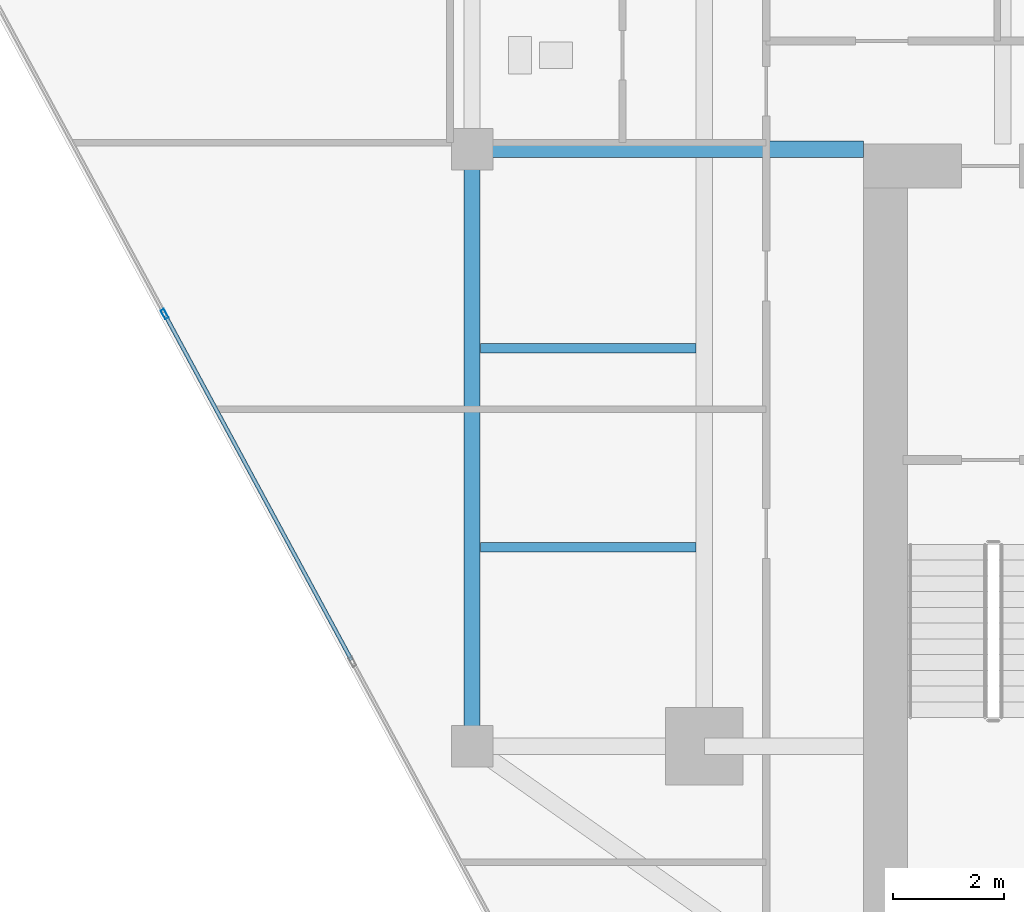
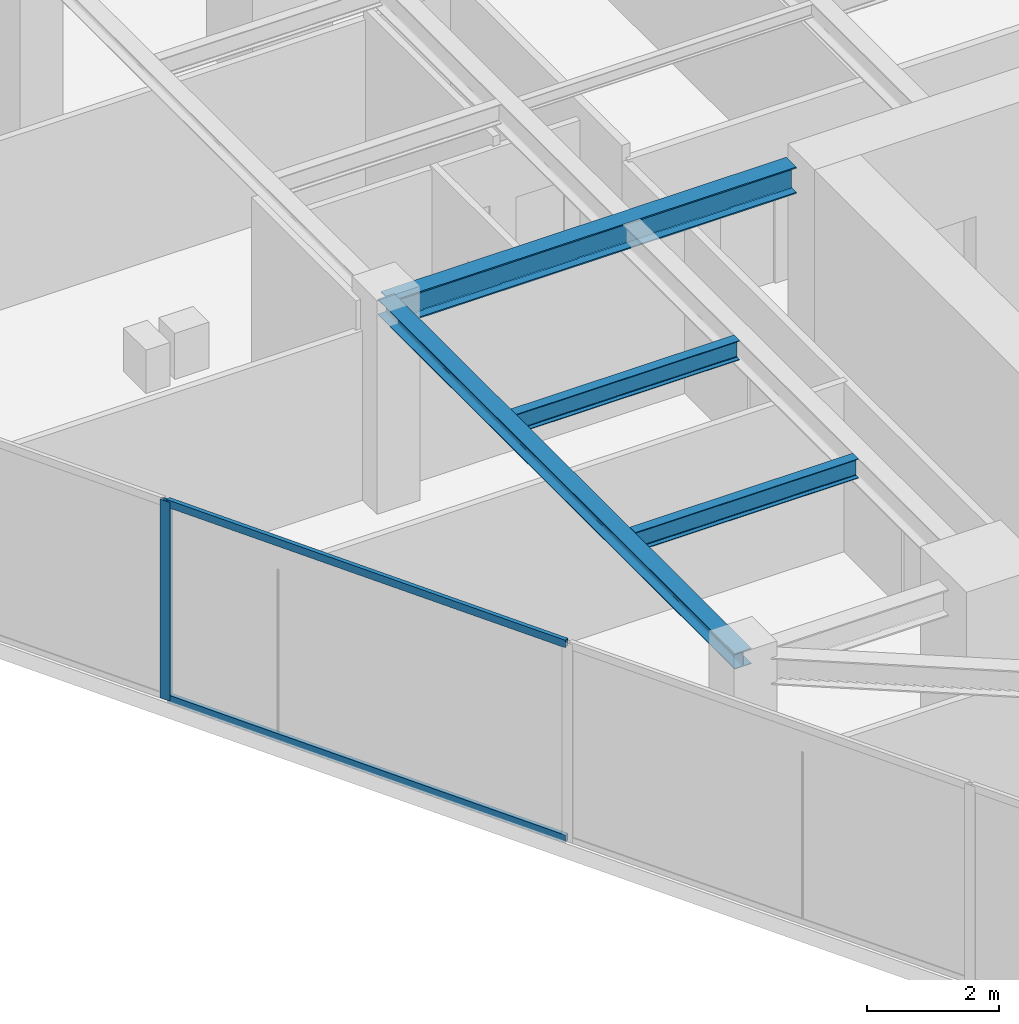
# One storey, part 4 of 22: 4 beams, 3 members, 1 element without a shape of its own.
"""IFC4 building model written with IfcOpenShell, lengths in metres."""

from ifc_helpers import new_model, si_unit, direction, frame, origin, origin_2d, place, context, subcontext, project, spatial, hollow_rectangle, i_section, extrude, source, transform, mapped, material, material_profile, profile_set, type_object, type_shapes, element, aggregate, save


model = new_model("IFC4")

# Units and contexts
model_context = context("Model", 3, precision=1e-05, world=origin(), true_north=direction((0.0, 1.0)))
body_context = subcontext(model_context, "Body", "Model", "MODEL_VIEW")
ifc_project = project(units=[si_unit("LENGTHUNIT", "METRE"), si_unit("AREAUNIT", "SQUARE_METRE"), si_unit("VOLUMEUNIT", "CUBIC_METRE"), si_unit("PLANEANGLEUNIT", "RADIAN"), si_unit("MASSUNIT", "GRAM", prefix="KILO")], contexts=[model_context])

# Site, building, storey
site_placement = place(None, origin())
site = spatial("IfcSite", under=ifc_project, at=site_placement, CompositionType="ELEMENT")
building_placement = place(site_placement, origin())
building = spatial("IfcBuilding", under=site, at=building_placement, Name="Krantzveldt Concourse Tower", CompositionType="ELEMENT")
storey_placement = place(building_placement, frame((0.0, 0.0, 302.949951171875)))
storey = spatial("IfcBuildingStorey", under=building, at=storey_placement, Name="L74", CompositionType="ELEMENT", Elevation=302.949951171875)

# Beams
ifc_material_1 = material(Name="Steel S355JR", Category="steel")
ifc_material_profile_1 = material_profile(ifc_material_1, i_section(OverallWidth=0.300048828125, OverallDepth=0.489990234375, WebThickness=0.011962890625, FlangeThickness=0.02294921875, FilletRadius=0.027099609375, at=origin_2d()), Name="Steel S355JR", Category="steel")
ifc_profile_set_1 = profile_set([ifc_material_profile_1], Name="Steel S355JR - HEA 500")
beam_type_1 = type_object("IfcBeamType", Name="BM-B-HEA500", PredefinedType="BEAM", material=ifc_profile_set_1)
shared_shape_1 = source(origin(), body_context, "Body", "SweptSolid", [
    extrude(i_section(OverallWidth=0.300048828125, OverallDepth=0.489990234375, WebThickness=0.011962890625, FlangeThickness=0.02294921875, FilletRadius=0.027099609375, at=origin_2d()), origin(), (0.0, 0.0, 1.0), 7.080078125),
])
type_shapes(beam_type_1, [shared_shape_1])
beam_1_placement = place(storey_placement, frame((21.0, 26.699951171875, 3.425048828125), z_axis=(1.0, 0.0, 0.0), x_axis=(0.0, 1.0, 0.0)))
element("IfcBeam", 1, at=beam_1_placement, inside=storey, type_object=beam_type_1, Name="L74 Tower Girder BG-CW2", PredefinedType="BEAM", context=body_context, shape_type="MappedRepresentation", body=[
    mapped(shared_shape_1, transform((0.0, 0.0, 0.0), x_axis=(1.0, 0.0, 0.0), y_axis=(0.0, 1.0, 0.0), z_axis=(0.0, 0.0, 1.0), scale=1.0)),
])
ifc_material_profile_2 = material_profile(ifc_material_1, i_section(OverallWidth=0.2900390625, OverallDepth=0.2900390625, WebThickness=0.008544921875, FlangeThickness=0.013916015625, FilletRadius=0.027099609375, at=origin_2d()), Name="Steel S355JR", Category="steel")
ifc_profile_set_2 = profile_set([ifc_material_profile_2], Name="Steel S355JR - HEA 300")
beam_type_2 = type_object("IfcBeamType", Name="BM-SP-HEA300", PredefinedType="SPANDREL", material=ifc_profile_set_2)
shared_shape_2 = source(origin(), body_context, "Body", "SweptSolid", [
    extrude(i_section(OverallWidth=0.2900390625, OverallDepth=0.2900390625, WebThickness=0.008544921875, FlangeThickness=0.013916015625, FilletRadius=0.027099609375, at=origin_2d()), origin(), (0.0, 0.0, 1.0), 10.800048828125),
])
type_shapes(beam_type_2, [shared_shape_2])
beam_2_placement = place(storey_placement, frame((21.0, 15.89990234375, 3.525146484375), z_axis=(0.0, 1.0, 0.0), x_axis=(-1.0, 0.0, 0.0)))
element("IfcBeam", 2, at=beam_2_placement, inside=storey, type_object=beam_type_2, Name="L74 Tower Girder SP-R01", PredefinedType="SPANDREL", context=body_context, shape_type="MappedRepresentation", body=[
    mapped(shared_shape_2, transform((0.0, 0.0, 0.0), x_axis=(1.0, 0.0, 0.0), y_axis=(0.0, 1.0, 0.0), z_axis=(0.0, 0.0, 1.0), scale=1.0)),
])
ifc_material_profile_3 = material_profile(ifc_material_1, i_section(OverallWidth=0.169921875, OverallDepth=0.360107421875, WebThickness=0.008056640625, FlangeThickness=0.0126953125, FilletRadius=0.01806640625, at=origin_2d()), Name="Steel S355JR", Category="steel")
ifc_profile_set_3 = profile_set([ifc_material_profile_3], Name="Steel S355JR - IPE 360")
beam_type_3 = type_object("IfcBeamType", Name="BM-J-IPE360", PredefinedType="JOIST", material=ifc_profile_set_3)
shared_shape_3 = source(origin(), body_context, "Body", "SweptSolid", [
    extrude(i_section(OverallWidth=0.169921875, OverallDepth=0.360107421875, WebThickness=0.008056640625, FlangeThickness=0.0126953125, FilletRadius=0.01806640625, at=origin_2d()), origin(), (0.0, 0.0, 1.0), 3.900146484375),
])
type_shapes(beam_type_3, [shared_shape_3])
for number, where, z_axis, x_axis, name in (
    (3, (21.14990234375, 19.5, 3.489990234375), (1.0, 0.0, 0.0), (0.0, 1.0, 0.0), "L74 Secondary Floor Joist JW-1"),
    (4, (21.14990234375, 23.10009765625, 3.489990234375), (1.0, 0.0, 0.0), (0.0, 1.0, 0.0), "L74 Secondary Floor Joist JW-2"),
):
    element("IfcBeam", number, at=place(storey_placement, frame(where, z_axis=z_axis, x_axis=x_axis)), inside=storey, type_object=beam_type_3, Name=name, PredefinedType="JOIST", context=body_context, shape_type="MappedRepresentation", body=[
        mapped(shared_shape_3, transform((0.0, 0.0, 0.0), x_axis=(1.0, 0.0, 0.0), y_axis=(0.0, 1.0, 0.0), z_axis=(0.0, 0.0, 1.0), scale=1.0)),
    ])

# Curtain wall, members
ifc_material_2 = material(Name="Anodised aluminium 6063-T6", Category="aluminium")
curtain_wall_type = type_object("IfcCurtainWallType", Name="CW4", PredefinedType="USERDEFINED", material=ifc_material_2)
curtain_wall_placement = place(storey_placement, origin())
curtain_wall = element("IfcCurtainWall", 5, at=curtain_wall_placement, inside=storey, type_object=curtain_wall_type, Name="CW-L74-F04", ObjectType="UNITISED CURTAIN WALL", PredefinedType="USERDEFINED")
ifc_material_profile_4 = material_profile(ifc_material_2, hollow_rectangle(XDim=0.070068359375, YDim=0.179931640625, WallThickness=0.0048828125, at=origin_2d()), Name="Anodised aluminium 6063-T6", Category="aluminium")
ifc_profile_set_4 = profile_set([ifc_material_profile_4], Name="Anodised aluminium 6063-T6 - ALU-MULL 180x70x5")
member_type_1 = type_object("IfcMemberType", Name="CW-MUL-180", PredefinedType="MULLION", material=ifc_profile_set_4)
shared_shape_4 = source(origin(), body_context, "Body", "SweptSolid", [
    extrude(hollow_rectangle(XDim=0.070068359375, YDim=0.179931640625, WallThickness=0.0048828125, at=origin_2d()), origin(), (0.0, 0.0, 1.0), 3.670166015625),
])
type_shapes(member_type_1, [shared_shape_4])
member_1_placement = place(storey_placement, frame((15.43603515625, 23.718994140625, 0.0), z_axis=(0.0, 0.0, 1.0), x_axis=(0.87985605875, 0.475240271736, 0.0)))
member_1 = element("IfcMember", 6, at=member_1_placement, type_object=member_type_1, Name="CW-Z56 mullion 2", PredefinedType="MULLION", context=body_context, shape_type="MappedRepresentation", body=[
    mapped(shared_shape_4, transform((0.0, 0.0, 0.0), x_axis=(1.0, 0.0, 0.0), y_axis=(0.0, 1.0, 0.0), z_axis=(0.0, 0.0, 1.0), scale=1.0)),
])
ifc_material_profile_5 = material_profile(ifc_material_2, hollow_rectangle(XDim=0.070068359375, YDim=0.139892578125, WallThickness=0.0048828125, at=origin_2d()), Name="Anodised aluminium 6063-T6", Category="aluminium")
ifc_profile_set_5 = profile_set([ifc_material_profile_5], Name="Anodised aluminium 6063-T6 - ALU-TRAN 140x70x5")
member_type_2 = type_object("IfcMemberType", Name="CW-TRN-150", PredefinedType="USERDEFINED", material=ifc_profile_set_5)
shared_shape_5 = source(origin(), body_context, "Body", "SweptSolid", [
    extrude(hollow_rectangle(XDim=0.070068359375, YDim=0.139892578125, WallThickness=0.0048828125, at=origin_2d()), origin(), (0.0, 0.0, 1.0), 7.080078125),
])
type_shapes(member_type_2, [shared_shape_5])
member_2_placement = place(storey_placement, frame((15.45263671875, 23.688232421875, 0.03515625), z_axis=(0.47523861604, -0.879856953046, 0.0), x_axis=(0.879856953046, 0.47523861604, 0.0)))
member_2 = element("IfcMember", 7, at=member_2_placement, type_object=member_type_2, Name="CW-Z56 transom 2.1", ObjectType="TRANSOM", PredefinedType="USERDEFINED", context=body_context, shape_type="MappedRepresentation", body=[
    mapped(shared_shape_5, transform((0.0, 0.0, 0.0), x_axis=(1.0, 0.0, 0.0), y_axis=(0.0, 1.0, 0.0), z_axis=(0.0, 0.0, 1.0), scale=1.0)),
])
member_3_placement = place(storey_placement, frame((15.45263671875, 23.688232421875, 3.635009765625), z_axis=(0.47523861604, -0.879856953046, 0.0), x_axis=(0.879856953046, 0.47523861604, 0.0)))
member_3 = element("IfcMember", 8, at=member_3_placement, type_object=member_type_2, Name="CW-Z56 transom 2.2", ObjectType="TRANSOM", PredefinedType="USERDEFINED", context=body_context, shape_type="MappedRepresentation", body=[
    mapped(shared_shape_5, transform((0.0, 0.0, 0.0), x_axis=(1.0, 0.0, 0.0), y_axis=(0.0, 1.0, 0.0), z_axis=(0.0, 0.0, 1.0), scale=1.0)),
])
aggregate(curtain_wall, [member_1, member_2, member_3])

save(model, "model.ifc")
